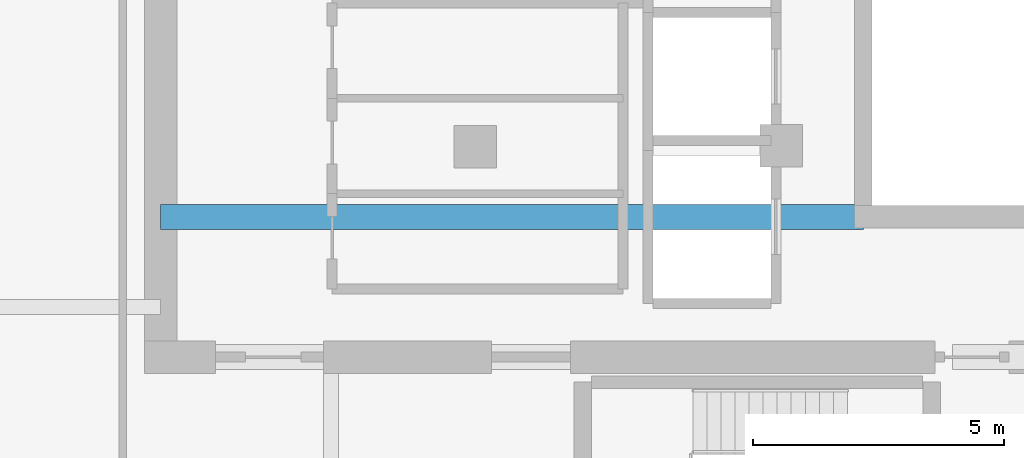
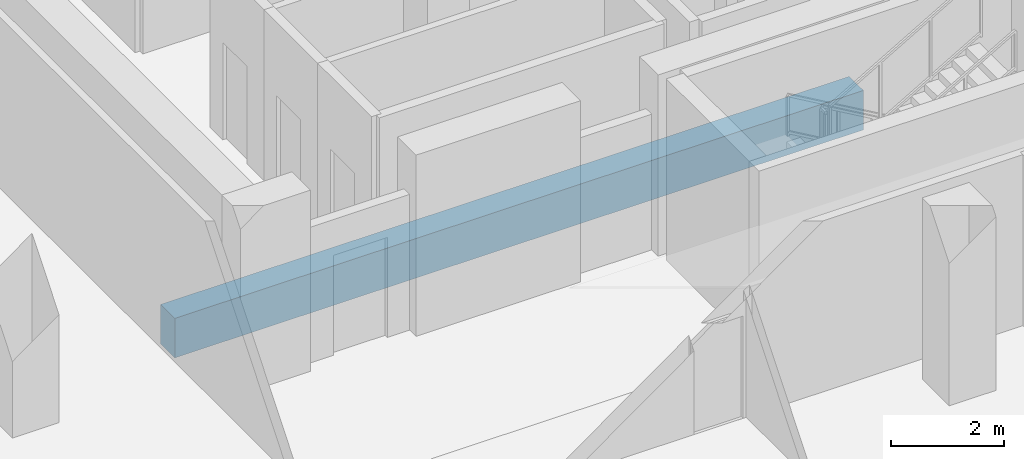
# One storey, part 7 of 27: 1 beam.
"""IFC4 building model written with IfcOpenShell, lengths in metres."""

from ifc_helpers import new_model, si_unit, direction, frame, origin, origin_2d, place, context, subcontext, project, spatial, rectangle, extrude, material, material_profile, profile_set, type_object, element, save


model = new_model("IFC4")

# Units and contexts
model_context = context("Model", 3, precision=1e-05, world=origin(), true_north=direction((0.0, 1.0)))
body_context = subcontext(model_context, "Body", "Model", "MODEL_VIEW")
ifc_project = project(units=[si_unit("LENGTHUNIT", "METRE"), si_unit("AREAUNIT", "SQUARE_METRE"), si_unit("VOLUMEUNIT", "CUBIC_METRE"), si_unit("PLANEANGLEUNIT", "RADIAN"), si_unit("MASSUNIT", "GRAM", prefix="KILO")], contexts=[model_context])

# Site, building, storey
site_placement = place(None, origin())
site = spatial("IfcSite", under=ifc_project, at=site_placement, CompositionType="ELEMENT")
building_placement = place(site_placement, origin())
building = spatial("IfcBuilding", under=site, at=building_placement, Name="Khorvyn Point Tower", CompositionType="ELEMENT")
storey_placement = place(building_placement, frame((0.0, 0.0, 243.0)))
storey = spatial("IfcBuildingStorey", under=building, at=storey_placement, Name="L59", CompositionType="ELEMENT", Elevation=243.0)

# Beam
ifc_material = material(Name="Concrete C45/55", Category="concrete")
ifc_material_profile = material_profile(ifc_material, rectangle(XDim=0.5, YDim=0.85009765625, at=origin_2d()))
ifc_profile_set = profile_set([ifc_material_profile], Name="Concrete C45/55 RC500x850")
beam_type = type_object("IfcBeamType", Name="Concrete C45/55 Beam RC500x850", PredefinedType="BEAM", material=ifc_profile_set)
beam_placement = place(storey_placement, frame((-10.800048828125, -5.60009765625, -0.64501953125), z_axis=(1.0, 0.0, 0.0), x_axis=(0.0, 1.0, 0.0)))
element("IfcBeam", 1, at=beam_placement, inside=storey, type_object=beam_type, Name="L59 Core Internal Tie Girder S", PredefinedType="BEAM", context=body_context, shape_type="SweptSolid", body=[
    extrude(rectangle(XDim=0.5, YDim=0.85009765625, at=origin_2d()), origin(), (0.0, 0.0, 1.0), 14.02001953125),
])

save(model, "model.ifc")
